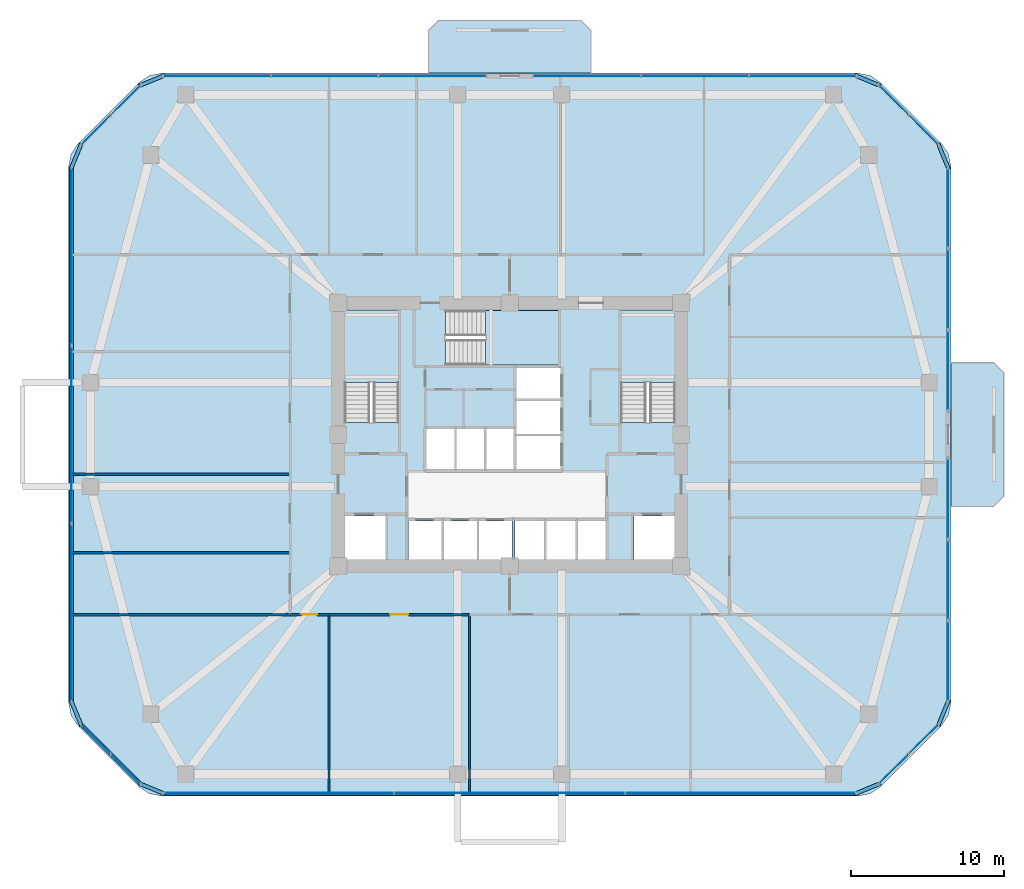
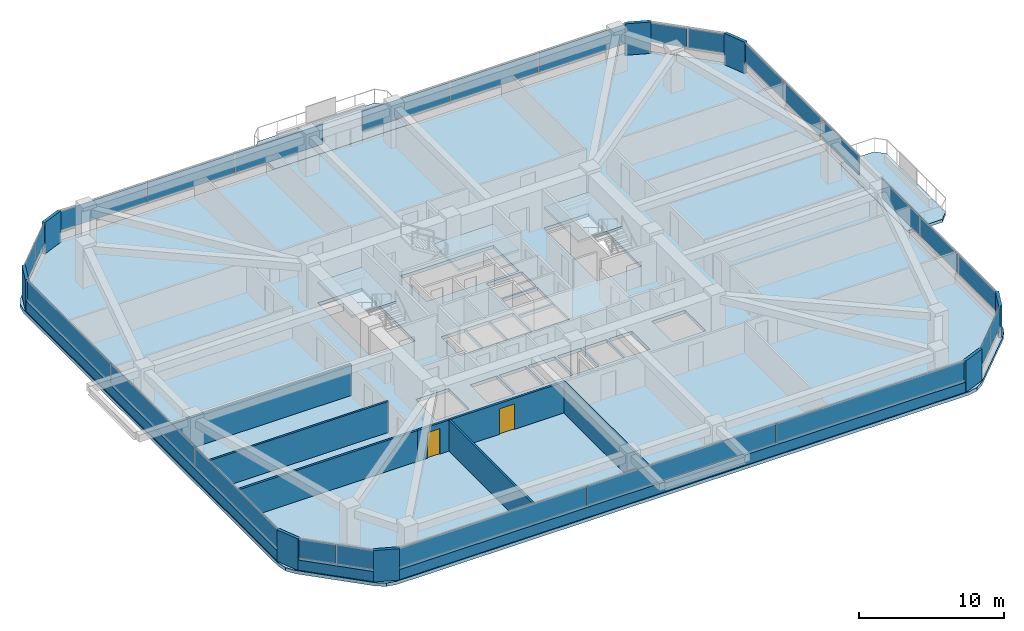
# One storey, part 8 of 13: 34 plates, 10 walls, 6 slabs, 2 doors, 2 openings, 13 elements without a shape of their own.
"""IFC4 building model written with IfcOpenShell, lengths in metres."""

from ifc_helpers import new_model, si_unit, derived_unit, direction, frame, frame_2d, origin, origin_2d, place, context, subcontext, project, spatial, polyline, rectangle, outline, extrude, material, layer, layer_set, type_object, element, fill, aggregate, save


model = new_model("IFC4")

# Units and contexts
model_context = context("Model", 3, precision=1e-05, world=origin(), true_north=direction((0.0, 1.0)))
body_context = subcontext(model_context, "Body", "Model", "MODEL_VIEW")
ifc_project = project(units=[si_unit("LENGTHUNIT", "METRE"), si_unit("AREAUNIT", "SQUARE_METRE"), si_unit("VOLUMEUNIT", "CUBIC_METRE"), si_unit("PLANEANGLEUNIT", "RADIAN"), si_unit("MASSUNIT", "GRAM", prefix="KILO"), derived_unit("THERMALTRANSMITTANCEUNIT", [(si_unit("POWERUNIT", "WATT"), 1), (si_unit("LENGTHUNIT", "METRE"), -2), (si_unit("THERMODYNAMICTEMPERATUREUNIT", "KELVIN"), -1)])], contexts=[model_context])

# Site, building, storey
site_placement = place(None, origin())
site = spatial("IfcSite", under=ifc_project, at=site_placement, CompositionType="ELEMENT")
building_placement = place(site_placement, origin())
building = spatial("IfcBuilding", under=site, at=building_placement, Name="Koralith Skygarden Medical Center", CompositionType="ELEMENT")
storey_placement = place(building_placement, frame((0.0, 0.0, 59.93994140625)))
storey = spatial("IfcBuildingStorey", under=building, at=storey_placement, Name="L15", CompositionType="ELEMENT", Elevation=59.93994140625)

# Curtain wall, plates
ifc_material_1 = material(Name="Clear Laminated Glass", Category="glass")
curtain_wall_type = type_object("IfcCurtainWallType", Name="CW-2 Zone 1 Hurricane Unitised Curtain Wall", PredefinedType="NOTDEFINED", material=ifc_material_1)
curtain_wall_1_placement = place(storey_placement, origin())
curtain_wall_1 = element("IfcCurtainWall", 1, at=curtain_wall_1_placement, inside=storey, type_object=curtain_wall_type, Name="Curtain Wall CW-L15-S", PredefinedType="NOTDEFINED")
ifc_layer_1 = layer(ifc_material_1, 0.031982421875)
ifc_layer_set_1 = layer_set([ifc_layer_1], Name="Clear Laminated Glass")
plate_type_1 = type_object("IfcPlateType", Name="CW-2 Hurricane Laminated IGU Panel 32", PredefinedType="CURTAIN_PANEL", material=ifc_layer_set_1)
plate_1_placement = place(storey_placement, frame((21.903076171875, 2.47998046875, 0.919921875), z_axis=(0.0, 0.0, 1.0), x_axis=(1.0, 0.0, 0.0)))
plate_1 = element("IfcPlate", 2, at=plate_1_placement, type_object=plate_type_1, Name="CW-L15-S Glazed Panel 1", PredefinedType="CURTAIN_PANEL", context=body_context, shape_type="SweptSolid", body=[
    extrude(rectangle(XDim=15.007080078125, YDim=0.031982421875, at=origin_2d()), origin(), (0.0, 0.0, 1.0), 1.659912109375),
])
plate_2_placement = place(storey_placement, frame((37.0, 2.47998046875, 0.919921875), z_axis=(0.0, 0.0, 1.0), x_axis=(1.0, 0.0, 0.0)))
plate_2 = element("IfcPlate", 3, at=plate_2_placement, type_object=plate_type_1, Name="CW-L15-S Glazed Panel 2", PredefinedType="CURTAIN_PANEL", context=body_context, shape_type="SweptSolid", body=[
    extrude(rectangle(XDim=15.007080078125, YDim=0.031982421875, at=origin_2d()), origin(), (0.0, 0.0, 1.0), 1.659912109375),
])
plate_3_placement = place(storey_placement, frame((52.096923828125, 2.47998046875, 0.919921875), z_axis=(0.0, 0.0, 1.0), x_axis=(1.0, 0.0, 0.0)))
plate_3 = element("IfcPlate", 4, at=plate_3_placement, type_object=plate_type_1, Name="CW-L15-S Glazed Panel 3", PredefinedType="CURTAIN_PANEL", context=body_context, shape_type="SweptSolid", body=[
    extrude(rectangle(XDim=15.007080078125, YDim=0.031982421875, at=origin_2d()), origin(), (0.0, 0.0, 1.0), 1.659912109375),
])
aggregate(curtain_wall_1, [plate_1, plate_2, plate_3])

curtain_wall_2_placement = place(storey_placement, origin())
curtain_wall_2 = element("IfcCurtainWall", 5, at=curtain_wall_2_placement, inside=storey, type_object=curtain_wall_type, Name="Curtain Wall CW-L15-SE", PredefinedType="NOTDEFINED")
plate_4_placement = place(storey_placement, frame((62.076904296875, 4.06201171875, 0.919921875), z_axis=(0.0, 0.0, 1.0), x_axis=(0.707106781187, 0.707106781187, 0.0)))
plate_4 = element("IfcPlate", 6, at=plate_4_placement, type_object=plate_type_1, Name="CW-L15-SE Glazed Panel 1", PredefinedType="CURTAIN_PANEL", context=body_context, shape_type="SweptSolid", body=[
    extrude(rectangle(XDim=2.68408203125, YDim=0.031982421875, at=origin_2d()), origin(), (0.0, 0.0, 1.0), 1.659912109375),
])
plate_5_placement = place(storey_placement, frame((64.0380859375, 6.02294921875, 0.919921875), z_axis=(0.0, 0.0, 1.0), x_axis=(0.707106781187, 0.707106781187, 0.0)))
plate_5 = element("IfcPlate", 7, at=plate_5_placement, type_object=plate_type_1, Name="CW-L15-SE Glazed Panel 2", PredefinedType="CURTAIN_PANEL", context=body_context, shape_type="SweptSolid", body=[
    extrude(rectangle(XDim=2.68408203125, YDim=0.031982421875, at=origin_2d()), origin(), (0.0, 0.0, 1.0), 1.659912109375),
])
aggregate(curtain_wall_2, [plate_4, plate_5])

curtain_wall_3_placement = place(storey_placement, origin())
curtain_wall_3 = element("IfcCurtainWall", 8, at=curtain_wall_3_placement, inside=storey, type_object=curtain_wall_type, Name="Curtain Wall CW-L15-E-L", PredefinedType="NOTDEFINED")
plate_6_placement = place(storey_placement, frame((65.6201171875, 11.10595703125, 0.919921875), z_axis=(0.0, 0.0, 1.0), x_axis=(0.0, 1.0, 0.0)))
plate_6 = element("IfcPlate", 9, at=plate_6_placement, type_object=plate_type_1, Name="CW-L15-E-L Glazed Panel 1", PredefinedType="CURTAIN_PANEL", context=body_context, shape_type="SweptSolid", body=[
    extrude(rectangle(XDim=5.2119140625, YDim=0.031982421875, at=origin_2d()), origin(), (0.0, 0.0, 1.0), 1.659912109375),
])
plate_7_placement = place(storey_placement, frame((65.6201171875, 16.406982421875, 0.919921875), z_axis=(0.0, 0.0, 1.0), x_axis=(0.0, 1.0, 0.0)))
plate_7 = element("IfcPlate", 10, at=plate_7_placement, type_object=plate_type_1, Name="CW-L15-E-L Glazed Panel 2", PredefinedType="CURTAIN_PANEL", context=body_context, shape_type="SweptSolid", body=[
    extrude(rectangle(XDim=5.2119140625, YDim=0.031982421875, at=origin_2d()), origin(), (0.0, 0.0, 1.0), 1.659912109375),
])
plate_8_placement = place(storey_placement, frame((65.6201171875, 21.708984375, 0.919921875), z_axis=(0.0, 0.0, 1.0), x_axis=(0.0, 1.0, 0.0)))
plate_8 = element("IfcPlate", 11, at=plate_8_placement, type_object=plate_type_1, Name="CW-L15-E-L Glazed Panel 3", PredefinedType="CURTAIN_PANEL", context=body_context, shape_type="SweptSolid", body=[
    extrude(rectangle(XDim=5.2119140625, YDim=0.031982421875, at=origin_2d()), origin(), (0.0, 0.0, 1.0), 1.659912109375),
])
aggregate(curtain_wall_3, [plate_6, plate_7, plate_8])

curtain_wall_4_placement = place(storey_placement, origin())
curtain_wall_4 = element("IfcCurtainWall", 12, at=curtain_wall_4_placement, inside=storey, type_object=curtain_wall_type, Name="Curtain Wall CW-L15-E-R", PredefinedType="NOTDEFINED")
plate_9_placement = place(storey_placement, frame((65.6201171875, 30.091064453125, 0.919921875), z_axis=(0.0, 0.0, 1.0), x_axis=(0.0, 1.0, 0.0)))
plate_9 = element("IfcPlate", 13, at=plate_9_placement, type_object=plate_type_1, Name="CW-L15-E-R Glazed Panel 1", PredefinedType="CURTAIN_PANEL", context=body_context, shape_type="SweptSolid", body=[
    extrude(rectangle(XDim=5.2119140625, YDim=0.031982421875, at=origin_2d()), origin(), (0.0, 0.0, 1.0), 1.659912109375),
])
plate_10_placement = place(storey_placement, frame((65.6201171875, 35.39208984375, 0.919921875), z_axis=(0.0, 0.0, 1.0), x_axis=(0.0, 1.0, 0.0)))
plate_10 = element("IfcPlate", 14, at=plate_10_placement, type_object=plate_type_1, Name="CW-L15-E-R Glazed Panel 2", PredefinedType="CURTAIN_PANEL", context=body_context, shape_type="SweptSolid", body=[
    extrude(rectangle(XDim=5.2119140625, YDim=0.031982421875, at=origin_2d()), origin(), (0.0, 0.0, 1.0), 1.659912109375),
])
plate_11_placement = place(storey_placement, frame((65.6201171875, 40.694091796875, 0.919921875), z_axis=(0.0, 0.0, 1.0), x_axis=(0.0, 1.0, 0.0)))
plate_11 = element("IfcPlate", 15, at=plate_11_placement, type_object=plate_type_1, Name="CW-L15-E-R Glazed Panel 3", PredefinedType="CURTAIN_PANEL", context=body_context, shape_type="SweptSolid", body=[
    extrude(rectangle(XDim=5.2119140625, YDim=0.031982421875, at=origin_2d()), origin(), (0.0, 0.0, 1.0), 1.659912109375),
])
aggregate(curtain_wall_4, [plate_9, plate_10, plate_11])

curtain_wall_5_placement = place(storey_placement, origin())
curtain_wall_5 = element("IfcCurtainWall", 16, at=curtain_wall_5_placement, inside=storey, type_object=curtain_wall_type, Name="Curtain Wall CW-L15-NE", PredefinedType="NOTDEFINED")
plate_12_placement = place(storey_placement, frame((64.0380859375, 45.777099609375, 0.919921875), z_axis=(0.0, 0.0, 1.0), x_axis=(-0.707106781187, 0.707106781187, 0.0)))
plate_12 = element("IfcPlate", 17, at=plate_12_placement, type_object=plate_type_1, Name="CW-L15-NE Glazed Panel 1", PredefinedType="CURTAIN_PANEL", context=body_context, shape_type="SweptSolid", body=[
    extrude(rectangle(XDim=2.68408203125, YDim=0.031982421875, at=origin_2d()), origin(), (0.0, 0.0, 1.0), 1.659912109375),
])
plate_13_placement = place(storey_placement, frame((62.076904296875, 47.738037109375, 0.919921875), z_axis=(0.0, 0.0, 1.0), x_axis=(-0.707106781187, 0.707106781187, 0.0)))
plate_13 = element("IfcPlate", 18, at=plate_13_placement, type_object=plate_type_1, Name="CW-L15-NE Glazed Panel 2", PredefinedType="CURTAIN_PANEL", context=body_context, shape_type="SweptSolid", body=[
    extrude(rectangle(XDim=2.68408203125, YDim=0.031982421875, at=origin_2d()), origin(), (0.0, 0.0, 1.0), 1.659912109375),
])
aggregate(curtain_wall_5, [plate_12, plate_13])

curtain_wall_6_placement = place(storey_placement, origin())
curtain_wall_6 = element("IfcCurtainWall", 19, at=curtain_wall_6_placement, inside=storey, type_object=curtain_wall_type, Name="Curtain Wall CW-L15-N-L", PredefinedType="NOTDEFINED")
plate_14_placement = place(storey_placement, frame((56.1279296875, 49.320068359375, 0.919921875), z_axis=(0.0, 0.0, 1.0), x_axis=(-1.0, 0.0, 0.0)))
plate_14 = element("IfcPlate", 20, at=plate_14_placement, type_object=plate_type_1, Name="CW-L15-N-L Glazed Panel 1", PredefinedType="CURTAIN_PANEL", context=body_context, shape_type="SweptSolid", body=[
    extrude(rectangle(XDim=6.945068359375, YDim=0.031982421875, at=origin_2d()), origin(), (0.0, 0.0, 1.0), 1.659912109375),
])
plate_15_placement = place(storey_placement, frame((49.093017578125, 49.320068359375, 0.919921875), z_axis=(0.0, 0.0, 1.0), x_axis=(-1.0, 0.0, 0.0)))
plate_15 = element("IfcPlate", 21, at=plate_15_placement, type_object=plate_type_1, Name="CW-L15-N-L Glazed Panel 2", PredefinedType="CURTAIN_PANEL", context=body_context, shape_type="SweptSolid", body=[
    extrude(rectangle(XDim=6.945068359375, YDim=0.031982421875, at=origin_2d()), origin(), (0.0, 0.0, 1.0), 1.659912109375),
])
plate_16_placement = place(storey_placement, frame((42.05810546875, 49.320068359375, 0.919921875), z_axis=(0.0, 0.0, 1.0), x_axis=(-1.0, 0.0, 0.0)))
plate_16 = element("IfcPlate", 22, at=plate_16_placement, type_object=plate_type_1, Name="CW-L15-N-L Glazed Panel 3", PredefinedType="CURTAIN_PANEL", context=body_context, shape_type="SweptSolid", body=[
    extrude(rectangle(XDim=6.945068359375, YDim=0.031982421875, at=origin_2d()), origin(), (0.0, 0.0, 1.0), 1.659912109375),
])
aggregate(curtain_wall_6, [plate_14, plate_15, plate_16])

curtain_wall_7_placement = place(storey_placement, origin())
curtain_wall_7 = element("IfcCurtainWall", 23, at=curtain_wall_7_placement, inside=storey, type_object=curtain_wall_type, Name="Curtain Wall CW-L15-N-R", PredefinedType="NOTDEFINED")
plate_17_placement = place(storey_placement, frame((31.943115234375, 49.320068359375, 0.919921875), z_axis=(0.0, 0.0, 1.0), x_axis=(-1.0, 0.0, 0.0)))
plate_17 = element("IfcPlate", 24, at=plate_17_placement, type_object=plate_type_1, Name="CW-L15-N-R Glazed Panel 1", PredefinedType="CURTAIN_PANEL", context=body_context, shape_type="SweptSolid", body=[
    extrude(rectangle(XDim=6.945068359375, YDim=0.031982421875, at=origin_2d()), origin(), (0.0, 0.0, 1.0), 1.659912109375),
])
plate_18_placement = place(storey_placement, frame((24.906982421875, 49.320068359375, 0.919921875), z_axis=(0.0, 0.0, 1.0), x_axis=(-1.0, 0.0, 0.0)))
plate_18 = element("IfcPlate", 25, at=plate_18_placement, type_object=plate_type_1, Name="CW-L15-N-R Glazed Panel 2", PredefinedType="CURTAIN_PANEL", context=body_context, shape_type="SweptSolid", body=[
    extrude(rectangle(XDim=6.945068359375, YDim=0.031982421875, at=origin_2d()), origin(), (0.0, 0.0, 1.0), 1.659912109375),
])
plate_19_placement = place(storey_placement, frame((17.873046875, 49.320068359375, 0.919921875), z_axis=(0.0, 0.0, 1.0), x_axis=(-1.0, 0.0, 0.0)))
plate_19 = element("IfcPlate", 26, at=plate_19_placement, type_object=plate_type_1, Name="CW-L15-N-R Glazed Panel 3", PredefinedType="CURTAIN_PANEL", context=body_context, shape_type="SweptSolid", body=[
    extrude(rectangle(XDim=6.945068359375, YDim=0.031982421875, at=origin_2d()), origin(), (0.0, 0.0, 1.0), 1.659912109375),
])
aggregate(curtain_wall_7, [plate_17, plate_18, plate_19])

curtain_wall_8_placement = place(storey_placement, origin())
curtain_wall_8 = element("IfcCurtainWall", 27, at=curtain_wall_8_placement, inside=storey, type_object=curtain_wall_type, Name="Curtain Wall CW-L15-NW", PredefinedType="NOTDEFINED")
plate_20_placement = place(storey_placement, frame((11.923095703125, 47.738037109375, 0.919921875), z_axis=(0.0, 0.0, 1.0), x_axis=(-0.707106781187, -0.707106781187, 0.0)))
plate_20 = element("IfcPlate", 28, at=plate_20_placement, type_object=plate_type_1, Name="CW-L15-NW Glazed Panel 1", PredefinedType="CURTAIN_PANEL", context=body_context, shape_type="SweptSolid", body=[
    extrude(rectangle(XDim=2.68408203125, YDim=0.031982421875, at=origin_2d()), origin(), (0.0, 0.0, 1.0), 1.659912109375),
])
plate_21_placement = place(storey_placement, frame((9.9619140625, 45.777099609375, 0.919921875), z_axis=(0.0, 0.0, 1.0), x_axis=(-0.707106781187, -0.707106781187, 0.0)))
plate_21 = element("IfcPlate", 29, at=plate_21_placement, type_object=plate_type_1, Name="CW-L15-NW Glazed Panel 2", PredefinedType="CURTAIN_PANEL", context=body_context, shape_type="SweptSolid", body=[
    extrude(rectangle(XDim=2.68408203125, YDim=0.031982421875, at=origin_2d()), origin(), (0.0, 0.0, 1.0), 1.659912109375),
])
aggregate(curtain_wall_8, [plate_20, plate_21])

curtain_wall_9_placement = place(storey_placement, origin())
curtain_wall_9 = element("IfcCurtainWall", 30, at=curtain_wall_9_placement, inside=storey, type_object=curtain_wall_type, Name="Curtain Wall CW-L15-W", PredefinedType="NOTDEFINED")
plate_22_placement = place(storey_placement, frame((8.3798828125, 37.530029296875, 0.919921875), z_axis=(0.0, 0.0, 1.0), x_axis=(0.0, -1.0, 0.0)))
plate_22 = element("IfcPlate", 31, at=plate_22_placement, type_object=plate_type_1, Name="CW-L15-W Glazed Panel 1", PredefinedType="CURTAIN_PANEL", context=body_context, shape_type="SweptSolid", body=[
    extrude(rectangle(XDim=11.5400390625, YDim=0.031982421875, at=origin_2d()), origin(), (0.0, 0.0, 1.0), 1.659912109375),
])
plate_23_placement = place(storey_placement, frame((8.3798828125, 25.89990234375, 0.919921875), z_axis=(0.0, 0.0, 1.0), x_axis=(0.0, -1.0, 0.0)))
plate_23 = element("IfcPlate", 32, at=plate_23_placement, type_object=plate_type_1, Name="CW-L15-W Glazed Panel 2", PredefinedType="CURTAIN_PANEL", context=body_context, shape_type="SweptSolid", body=[
    extrude(rectangle(XDim=11.5400390625, YDim=0.031982421875, at=origin_2d()), origin(), (0.0, 0.0, 1.0), 1.659912109375),
])
plate_24_placement = place(storey_placement, frame((8.3798828125, 14.27001953125, 0.919921875), z_axis=(0.0, 0.0, 1.0), x_axis=(0.0, -1.0, 0.0)))
plate_24 = element("IfcPlate", 33, at=plate_24_placement, type_object=plate_type_1, Name="CW-L15-W Glazed Panel 3", PredefinedType="CURTAIN_PANEL", context=body_context, shape_type="SweptSolid", body=[
    extrude(rectangle(XDim=11.5400390625, YDim=0.031982421875, at=origin_2d()), origin(), (0.0, 0.0, 1.0), 1.659912109375),
])
aggregate(curtain_wall_9, [plate_22, plate_23, plate_24])

curtain_wall_10_placement = place(storey_placement, origin())
curtain_wall_10 = element("IfcCurtainWall", 34, at=curtain_wall_10_placement, inside=storey, type_object=curtain_wall_type, Name="Curtain Wall CW-L15-SW", PredefinedType="NOTDEFINED")
plate_25_placement = place(storey_placement, frame((9.9619140625, 6.02294921875, 0.919921875), z_axis=(0.0, 0.0, 1.0), x_axis=(0.707106781187, -0.707106781187, 0.0)))
plate_25 = element("IfcPlate", 35, at=plate_25_placement, type_object=plate_type_1, Name="CW-L15-SW Glazed Panel 1", PredefinedType="CURTAIN_PANEL", context=body_context, shape_type="SweptSolid", body=[
    extrude(rectangle(XDim=2.68408203125, YDim=0.031982421875, at=origin_2d()), origin(), (0.0, 0.0, 1.0), 1.659912109375),
])
plate_26_placement = place(storey_placement, frame((11.923095703125, 4.06201171875, 0.919921875), z_axis=(0.0, 0.0, 1.0), x_axis=(0.707106781187, -0.707106781187, 0.0)))
plate_26 = element("IfcPlate", 36, at=plate_26_placement, type_object=plate_type_1, Name="CW-L15-SW Glazed Panel 2", PredefinedType="CURTAIN_PANEL", context=body_context, shape_type="SweptSolid", body=[
    extrude(rectangle(XDim=2.68408203125, YDim=0.031982421875, at=origin_2d()), origin(), (0.0, 0.0, 1.0), 1.659912109375),
])
aggregate(curtain_wall_10, [plate_25, plate_26])

# Slabs
ifc_material_2 = material(Name="Concrete C45/55", Category="concrete")
ifc_layer_2 = layer(ifc_material_2, 0.260009765625)
ifc_layer_set_2 = layer_set([ifc_layer_2], Name="Concrete C45/55")
slab_type_1 = type_object("IfcSlabType", Name="Cantilevered Planted Balcony Slab 260", PredefinedType="FLOOR", material=ifc_layer_set_2)
slab_1_placement = place(storey_placement, frame((0.0, 0.0, -0.260009765625)))
element("IfcSlab", 37, at=slab_1_placement, inside=storey, type_object=slab_type_1, Name="L15 N Planted Sky-Garden Balcony Slab", PredefinedType="FLOOR", context=body_context, shape_type="SweptSolid", body=[
    extrude(outline(polyline([(31.699951171875, 49.5), (42.300048828125, 49.5), (42.300048828125, 52.300048828125), (41.64990234375, 52.949951171875), (32.35009765625, 52.949951171875), (31.699951171875, 52.300048828125), (31.699951171875, 49.5)])), origin(), (0.0, 0.0, 1.0), 0.260009765625),
])
slab_2_placement = place(storey_placement, frame((0.0, 0.0, -0.260009765625)))
element("IfcSlab", 38, at=slab_2_placement, inside=storey, type_object=slab_type_1, Name="L15 E Planted Sky-Garden Balcony Slab", PredefinedType="FLOOR", context=body_context, shape_type="SweptSolid", body=[
    extrude(outline(polyline([(65.800048828125, 21.199951171875), (68.60009765625, 21.199951171875), (69.25, 21.85009765625), (69.25, 29.949951171875), (68.60009765625, 30.60009765625), (65.800048828125, 30.60009765625), (65.800048828125, 21.199951171875)])), origin(), (0.0, 0.0, 1.0), 0.260009765625),
])

# Stair, slab
stair_type = type_object("IfcStairType", Name="Core Exit Dogleg Concrete Stair", PredefinedType="HALF_TURN_STAIR", material=ifc_material_2)
stair_1_placement = place(storey_placement, origin())
stair_1 = element("IfcStair", 39, at=stair_1_placement, inside=storey, type_object=stair_type, Name="L15 Smokeproof Exit Stair ST1", PredefinedType="HALF_TURN_STAIR")
ifc_layer_3 = layer(ifc_material_2, 0.199951171875)
ifc_layer_set_3 = layer_set([ifc_layer_3], Name="Concrete C45/55")
slab_type_2 = type_object("IfcSlabType", Name="Core Exit Concrete Stair Landing 200", PredefinedType="LANDING", material=ifc_layer_set_3)
slab_3_placement = place(storey_placement, frame((0.0, 0.0, 1.60009765625)))
slab_3 = element("IfcSlab", 40, at=slab_3_placement, type_object=slab_type_2, Name="ST1 landing 1", PredefinedType="LANDING", context=body_context, shape_type="SweptSolid", body=[
    extrude(outline(polyline([(29.75, 29.31005859375), (29.75, 34.050048828125), (26.199951171875, 34.050048828125), (26.199951171875, 29.31005859375), (29.75, 29.31005859375)])), origin(), (0.0, 0.0, 1.0), 0.199951171875),
])
aggregate(stair_1, [slab_3])

stair_2_placement = place(storey_placement, origin())
stair_2 = element("IfcStair", 41, at=stair_2_placement, inside=storey, type_object=stair_type, Name="L15 Smokeproof Exit Stair ST2", PredefinedType="HALF_TURN_STAIR")
slab_4_placement = place(storey_placement, frame((0.0, 0.0, 1.60009765625)))
slab_4 = element("IfcSlab", 42, at=slab_4_placement, type_object=slab_type_2, Name="ST2 landing 1", PredefinedType="LANDING", context=body_context, shape_type="SweptSolid", body=[
    extrude(outline(polyline([(47.800048828125, 29.31005859375), (47.800048828125, 34.050048828125), (44.25, 34.050048828125), (44.25, 29.31005859375), (47.800048828125, 29.31005859375)])), origin(), (0.0, 0.0, 1.0), 0.199951171875),
])
aggregate(stair_2, [slab_4])

stair_3_placement = place(storey_placement, origin())
stair_3 = element("IfcStair", 43, at=stair_3_placement, inside=storey, type_object=stair_type, Name="L15 Smokeproof Exit Stair ST3", PredefinedType="HALF_TURN_STAIR")
slab_5_placement = place(storey_placement, frame((0.0, 0.0, 1.60009765625)))
slab_5 = element("IfcSlab", 44, at=slab_5_placement, type_object=slab_type_2, Name="ST3 landing 1", PredefinedType="LANDING", context=body_context, shape_type="SweptSolid", body=[
    extrude(outline(polyline([(35.409912109375, 30.449951171875), (40.199951171875, 30.449951171875), (40.199951171875, 34.0), (35.409912109375, 34.0), (35.409912109375, 30.449951171875)])), origin(), (0.0, 0.0, 1.0), 0.199951171875),
])
aggregate(stair_3, [slab_5])

# Slab
ifc_layer_4 = layer(ifc_material_2, 0.280029296875)
ifc_layer_set_4 = layer_set([ifc_layer_4], Name="Concrete C45/55")
slab_type_3 = type_object("IfcSlabType", Name="Post-Tensioned Ward Floor Plate 280", PredefinedType="FLOOR", material=ifc_layer_set_4)
slab_6_placement = place(storey_placement, frame((0.0, 0.0, -0.280029296875)))
element("IfcSlab", 45, at=slab_6_placement, inside=storey, type_object=slab_type_3, Name="Level L15 Structural Floor Slab", PredefinedType="FLOOR", context=body_context, shape_type="SweptSolid", body=[
    extrude(outline(polyline([(12.81396484375, 2.885986328125), (13.462890625, 2.451904296875), (14.22802734375, 2.300048828125), (59.77197265625, 2.300048828125), (60.537109375, 2.451904296875), (61.18603515625, 2.885986328125), (65.214111328125, 6.9140625), (65.64794921875, 7.56298828125), (65.800048828125, 8.327880859375), (65.800048828125, 43.471923828125), (65.64794921875, 44.237060546875), (65.214111328125, 44.885986328125), (61.18603515625, 48.9140625), (60.537109375, 49.347900390625), (59.77197265625, 49.5), (14.22802734375, 49.5), (13.462890625, 49.347900390625), (12.81396484375, 48.9140625), (8.785888671875, 44.885986328125), (8.35205078125, 44.237060546875), (8.199951171875, 43.471923828125), (8.199951171875, 8.327880859375), (8.35205078125, 7.56298828125), (8.785888671875, 6.9140625), (12.81396484375, 2.885986328125)]), holes=[polyline([(26.199951171875, 26.705078125), (29.75, 26.705078125), (29.75, 34.050048828125), (26.199951171875, 34.050048828125), (26.199951171875, 26.705078125)]), polyline([(44.25, 26.705078125), (47.800048828125, 26.705078125), (47.800048828125, 34.050048828125), (44.25, 34.050048828125), (44.25, 26.705078125)]), polyline([(32.804931640625, 30.449951171875), (40.199951171875, 30.449951171875), (40.199951171875, 34.0), (32.804931640625, 34.0), (32.804931640625, 30.449951171875)]), polyline([(26.25, 17.75), (28.89990234375, 17.75), (28.89990234375, 20.60009765625), (26.25, 20.60009765625), (26.25, 17.75)]), polyline([(45.10009765625, 17.75), (47.75, 17.75), (47.75, 20.60009765625), (45.10009765625, 20.60009765625), (45.10009765625, 17.75)]), polyline([(30.39990234375, 17.75), (32.550048828125, 17.75), (32.550048828125, 20.25), (30.39990234375, 20.25), (30.39990234375, 17.75)]), polyline([(32.699951171875, 17.75), (34.85009765625, 17.75), (34.85009765625, 20.25), (32.699951171875, 20.25), (32.699951171875, 17.75)]), polyline([(35.0, 17.75), (37.14990234375, 17.75), (37.14990234375, 20.25), (35.0, 20.25), (35.0, 17.75)]), polyline([(37.35009765625, 17.75), (39.25, 17.75), (39.25, 20.25), (37.35009765625, 20.25), (37.35009765625, 17.75)]), polyline([(39.39990234375, 17.75), (41.300048828125, 17.75), (41.300048828125, 20.25), (39.39990234375, 20.25), (39.39990234375, 17.75)]), polyline([(41.449951171875, 17.75), (43.300048828125, 17.75), (43.300048828125, 20.25), (41.449951171875, 20.25), (41.449951171875, 17.75)]), polyline([(31.550048828125, 23.64990234375), (33.39990234375, 23.64990234375), (33.39990234375, 26.25), (31.550048828125, 26.25), (31.550048828125, 23.64990234375)]), polyline([(33.5, 23.64990234375), (35.35009765625, 23.64990234375), (35.35009765625, 26.25), (33.5, 26.25), (33.5, 23.64990234375)]), polyline([(35.449951171875, 23.64990234375), (37.300048828125, 23.64990234375), (37.300048828125, 26.25), (35.449951171875, 26.25), (35.449951171875, 23.64990234375)]), polyline([(37.449951171875, 23.64990234375), (40.300048828125, 23.64990234375), (40.300048828125, 25.800048828125), (37.449951171875, 25.800048828125), (37.449951171875, 23.64990234375)]), polyline([(37.449951171875, 25.949951171875), (40.300048828125, 25.949951171875), (40.300048828125, 28.10009765625), (37.449951171875, 28.10009765625), (37.449951171875, 25.949951171875)]), polyline([(37.449951171875, 28.25), (40.300048828125, 28.25), (40.300048828125, 30.25), (37.449951171875, 30.25), (37.449951171875, 28.25)])]), origin(), (0.0, 0.0, 1.0), 0.280029296875),
])

# Plates
ifc_material_3 = material(Name="Warm Oolitic Limestone Cladding", Category="masonry")
ifc_layer_5 = layer(ifc_material_3, 0.239990234375)
ifc_layer_set_5 = layer_set([ifc_layer_5], Name="Warm Oolitic Limestone Cladding")
plate_type_2 = type_object("IfcPlateType", Name="Rounded-Corner Oolitic Limestone Cladding Panel 240", PredefinedType="USERDEFINED", material=ifc_layer_set_5)
for number, where, z_axis, x_axis, name in (
    (46, (60.3701171875, 2.780029296875, 0.0), (0.0, 0.0, 1.0), (0.92388487569, 0.382670532536, 0.0), "L15 Rounded-Corner Limestone Pier 1"),
    (47, (65.320068359375, 7.72900390625, 0.0), (0.0, 0.0, 1.0), (0.382670532536, 0.92388487569, 0.0), "L15 Rounded-Corner Limestone Pier 2"),
    (48, (65.320068359375, 44.070068359375, 0.0), (0.0, 0.0, 1.0), (-0.382670532536, 0.92388487569, 0.0), "L15 Rounded-Corner Limestone Pier 3"),
    (49, (60.3701171875, 49.02001953125, 0.0), (0.0, 0.0, 1.0), (-0.92388487569, 0.382670532536, 0.0), "L15 Rounded-Corner Limestone Pier 4"),
    (50, (13.6298828125, 49.02001953125, 0.0), (0.0, 0.0, 1.0), (-0.92388487569, -0.382670532536, 0.0), "L15 Rounded-Corner Limestone Pier 5"),
    (51, (8.680908203125, 44.070068359375, 0.0), (0.0, 0.0, 1.0), (-0.382670532536, -0.92388487569, 0.0), "L15 Rounded-Corner Limestone Pier 6"),
    (52, (8.680908203125, 7.72900390625, 0.0), (0.0, 0.0, 1.0), (0.382670532536, -0.92388487569, 0.0), "L15 Rounded-Corner Limestone Pier 7"),
    (53, (13.6298828125, 2.780029296875, 0.0), (0.0, 0.0, 1.0), (0.92388487569, -0.382670532536, 0.0), "L15 Rounded-Corner Limestone Pier 8"),
):
    element("IfcPlate", number, at=place(storey_placement, frame(where, z_axis=z_axis, x_axis=x_axis)), inside=storey, type_object=plate_type_2, Name=name, ObjectType="LIMESTONE CLADDING", PredefinedType="USERDEFINED", context=body_context, shape_type="SweptSolid", body=[
        extrude(rectangle(XDim=1.81103515625, YDim=0.239990234375, at=origin_2d()), origin(), (0.0, 0.0, 1.0), 2.64990234375),
    ])

# Walls
ifc_material_4 = material(Name="Gypsum Board Partition")
ifc_layer_6 = layer(ifc_material_4, 0.14990234375)
ifc_layer_set_6 = layer_set([ifc_layer_6], Name="Gypsum Board Partition")
wall_type_1 = type_object("IfcWallType", Name="Clinical Acoustic Partition 150", PredefinedType="PARTITIONING", material=ifc_layer_set_6)
for number, where, z_axis, x_axis, name in (
    (54, (25.199951171875, 14.14990234375, 0.0), (0.0, 0.0, 1.0), (0.0, -1.0, 0.0), "L15 Clinical Acoustic Partition 150 W-PART-L15-S-01"),
    (55, (34.3740234375, 14.14990234375, 0.0), (0.0, 0.0, 1.0), (0.0, -1.0, 0.0), "L15 Clinical Acoustic Partition 150 W-PART-L15-S-02"),
):
    element("IfcWall", number, at=place(storey_placement, frame(where, z_axis=z_axis, x_axis=x_axis)), inside=storey, type_object=wall_type_1, Name=name, PredefinedType="PARTITIONING", context=body_context, shape_type="SweptSolid", body=[
        extrude(rectangle(XDim=11.64990234375, YDim=0.14990234375, at=frame_2d((5.824951171875, 0.0))), origin(), (0.0, 0.0, 1.0), 2.610107421875),
    ])
for number, where, z_axis, x_axis, name in (
    (56, (22.64990234375, 18.18310546875, 0.0), (0.0, 0.0, 1.0), (-1.0, 0.0, 0.0), "L15 Clinical Acoustic Partition 150 W-PART-L15-W-01"),
    (57, (22.64990234375, 23.31494140625, 0.0), (0.0, 0.0, 1.0), (-1.0, 0.0, 0.0), "L15 Clinical Acoustic Partition 150 W-PART-L15-W-02"),
):
    element("IfcWall", number, at=place(storey_placement, frame(where, z_axis=z_axis, x_axis=x_axis)), inside=storey, type_object=wall_type_1, Name=name, PredefinedType="PARTITIONING", context=body_context, shape_type="SweptSolid", body=[
        extrude(rectangle(XDim=14.25, YDim=0.14990234375, at=frame_2d((7.125, 0.0))), origin(), (0.0, 0.0, 1.0), 2.610107421875),
    ])
ifc_layer_7 = layer(ifc_material_4, 0.1650390625)
ifc_layer_set_7 = layer_set([ifc_layer_7], Name="Gypsum Board Partition")
wall_type_2 = type_object("IfcWallType", Name="Clinical Corridor Partition 165", PredefinedType="PARTITIONING", material=ifc_layer_set_7)
wall_1_placement = place(storey_placement, frame((8.39990234375, 14.14990234375, 0.0), z_axis=(0.0, 0.0, 1.0), x_axis=(1.0, 0.0, 0.0)))
element("IfcWall", 58, at=wall_1_placement, inside=storey, type_object=wall_type_2, Name="L15 Clinical Corridor Partition 165 W-WB-L15-SW", PredefinedType="PARTITIONING", context=body_context, shape_type="SweptSolid", body=[
    extrude(rectangle(XDim=14.25, YDim=0.1650390625, at=frame_2d((7.125, 0.0))), origin(), (0.0, 0.0, 1.0), 2.610107421875),
])

# Wall, opening, door
wall_2_placement = place(storey_placement, frame((22.64990234375, 14.14990234375, 0.0), z_axis=(0.0, 0.0, 1.0), x_axis=(1.0, 0.0, 0.0)))
wall_2 = element("IfcWall", 59, at=wall_2_placement, inside=storey, type_object=wall_type_2, Name="L15 Clinical Corridor Partition 165 W-CORR-L15-S-01", PredefinedType="PARTITIONING", context=body_context, shape_type="SweptSolid", body=[
    extrude(rectangle(XDim=2.550048828125, YDim=0.1650390625, at=frame_2d((1.27490234375, 0.0))), origin(), (0.0, 0.0, 1.0), 2.610107421875),
])
opening_1_placement = place(wall_2_placement, frame((0.77490234375, 0.0, 0.0)))
opening_1 = element("IfcOpeningElement", 60, at=opening_1_placement, cuts=wall_2, Name="Opening D-SUP", PredefinedType="OPENING", context=body_context, shape_type="SweptSolid", body=[
    extrude(rectangle(XDim=1.0, YDim=2.14990234375, at=frame_2d((0.5, 1.074951171875))), frame((0.0, 0.092529296875, 0.0), z_axis=(0.0, -1.0, 0.0), x_axis=(1.0, 0.0, 0.0)), (0.0, 0.0, 1.0), 0.18505859375),
])
ifc_material_5 = material(Name="Aluminium 6063-T6", Category="aluminium")
door_type_1 = type_object("IfcDoorType", Name="Clinical Support Door D-SUP 1000", OperationType="NOTDEFINED", PredefinedType="DOOR", material=ifc_material_5)
door_1_placement = place(opening_1_placement, frame((1.0, 0.0, 0.0), z_axis=(0.0, 0.0, 1.0), x_axis=(-1.0, 0.0, 0.0)))
door_1 = element("IfcDoor", 61, at=door_1_placement, inside=storey, type_object=door_type_1, Name="L15 Patient Recovery Sitting Lounge 05 Door", OperationType="SINGLE_SWING_RIGHT", OverallHeight=2.14990234375, OverallWidth=1.0, PredefinedType="DOOR", context=body_context, shape_type="SweptSolid", body=[
    extrude(rectangle(XDim=1.0, YDim=2.14990234375, at=frame_2d((0.5, 1.074951171875))), frame((0.0, 0.02490234375, 0.0), z_axis=(0.0, -1.0, 0.0), x_axis=(1.0, 0.0, 0.0)), (0.0, 0.0, 1.0), 0.050048828125),
])
fill(opening_1, door_1)

wall_3_placement = place(storey_placement, frame((25.199951171875, 14.14990234375, 0.0), z_axis=(0.0, 0.0, 1.0), x_axis=(1.0, 0.0, 0.0)))
wall_3 = element("IfcWall", 62, at=wall_3_placement, inside=storey, type_object=wall_type_2, Name="L15 Clinical Corridor Partition 165 W-CORR-L15-S-02", PredefinedType="PARTITIONING", context=body_context, shape_type="SweptSolid", body=[
    extrude(rectangle(XDim=9.174072265625, YDim=0.1650390625, at=frame_2d((4.5869140625, 0.0))), origin(), (0.0, 0.0, 1.0), 2.610107421875),
])
opening_2_placement = place(wall_3_placement, frame((3.987060546875, 0.0, 0.0)))
opening_2 = element("IfcOpeningElement", 63, at=opening_2_placement, cuts=wall_3, Name="Opening D-CLN", PredefinedType="OPENING", context=body_context, shape_type="SweptSolid", body=[
    extrude(rectangle(XDim=1.199951171875, YDim=2.14990234375, at=frame_2d((0.60009765625, 1.074951171875))), frame((0.0, 0.092529296875, 0.0), z_axis=(0.0, -1.0, 0.0), x_axis=(1.0, 0.0, 0.0)), (0.0, 0.0, 1.0), 0.18505859375),
])
door_type_2 = type_object("IfcDoorType", Name="Clinical Corridor Door D-CLN 1200", OperationType="NOTDEFINED", PredefinedType="DOOR", material=ifc_material_5)
door_2_placement = place(opening_2_placement, frame((1.199951171875, 0.0, 0.0), z_axis=(0.0, 0.0, 1.0), x_axis=(-1.0, 0.0, 0.0)))
door_2 = element("IfcDoor", 64, at=door_2_placement, inside=storey, type_object=door_type_2, Name="L15 Infusion Therapy Treatment Room 06 Door", OperationType="SINGLE_SWING_LEFT", OverallHeight=2.14990234375, OverallWidth=1.199951171875, PredefinedType="DOOR", context=body_context, shape_type="SweptSolid", body=[
    extrude(rectangle(XDim=1.199951171875, YDim=2.14990234375, at=frame_2d((0.60009765625, 1.074951171875))), frame((0.0, 0.02490234375, 0.0), z_axis=(0.0, -1.0, 0.0), x_axis=(1.0, 0.0, 0.0)), (0.0, 0.0, 1.0), 0.050048828125),
])
fill(opening_2, door_2)

# Walls
ifc_layer_8 = layer(ifc_material_3, 0.239990234375)
ifc_layer_set_8 = layer_set([ifc_layer_8], Name="Warm Oolitic Limestone Cladding")
wall_type_3 = type_object("IfcWallType", Name="Limestone Spandrel Sill Backup Wall 240", PredefinedType="SOLIDWALL", material=ifc_layer_set_8)
wall_4_placement = place(storey_placement, frame((14.35498046875, 2.47998046875, 0.0), z_axis=(0.0, 0.0, 1.0), x_axis=(1.0, 0.0, 0.0)))
element("IfcWall", 65, at=wall_4_placement, inside=storey, type_object=wall_type_3, Name="L15 Sill Spandrel S", PredefinedType="SOLIDWALL", context=body_context, shape_type="SweptSolid", body=[
    extrude(rectangle(XDim=45.2900390625, YDim=0.239990234375, at=frame_2d((22.64501953125, 0.0))), origin(), (0.0, 0.0, 1.0), 0.85009765625),
])
wall_5_placement = place(storey_placement, frame((8.3798828125, 43.344970703125, 0.0), z_axis=(0.0, 0.0, 1.0), x_axis=(0.0, -1.0, 0.0)))
element("IfcWall", 66, at=wall_5_placement, inside=storey, type_object=wall_type_3, Name="L15 Sill Spandrel W", PredefinedType="SOLIDWALL", context=body_context, shape_type="SweptSolid", body=[
    extrude(rectangle(XDim=34.889892578125, YDim=0.239990234375, at=frame_2d((17.44482421875, 0.0))), origin(), (0.0, 0.0, 1.0), 0.85009765625),
])
wall_6_placement = place(storey_placement, frame((8.98095703125, 7.00390625, 0.0), z_axis=(0.0, 0.0, 1.0), x_axis=(0.707128783731, -0.707084777957, 0.0)))
element("IfcWall", 67, at=wall_6_placement, inside=storey, type_object=wall_type_3, Name="L15 Sill Spandrel SW", PredefinedType="SOLIDWALL", context=body_context, shape_type="SweptSolid", body=[
    extrude(rectangle(XDim=5.5478515625, YDim=0.239990234375, at=frame_2d((2.77392578125, 0.0))), origin(), (0.0, 0.0, 1.0), 0.85009765625),
])

save(model, "model.ifc")
